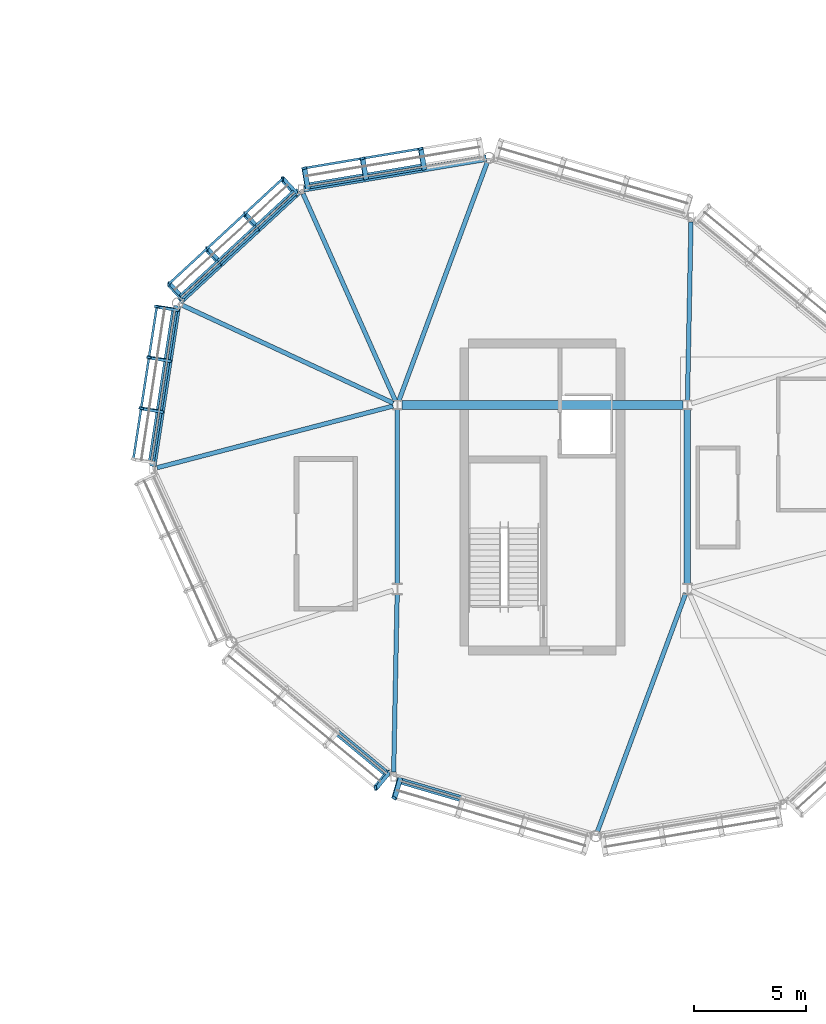
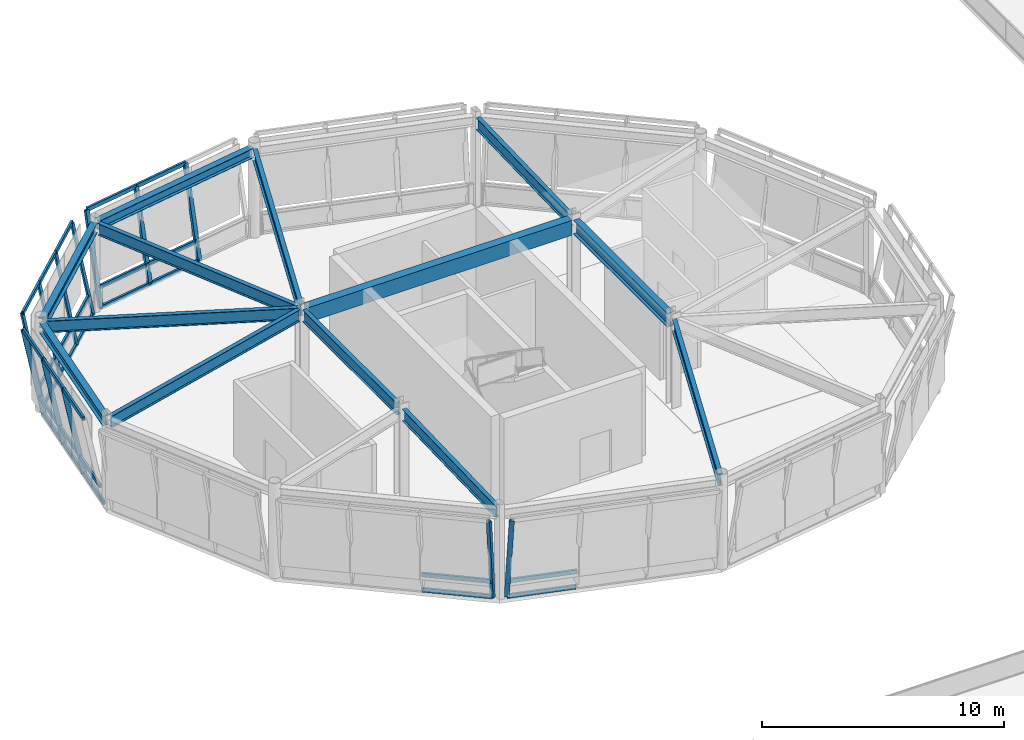
# One storey, part 45 of 94: 40 members, 13 beams, 5 elements without a shape of their own.
"""IFC4 building model written with IfcOpenShell, lengths in metres."""

from ifc_helpers import new_model, si_unit, direction, frame, origin, origin_2d, place, context, subcontext, project, spatial, rectangle, hollow_rectangle, i_section, extrude, material, material_profile, profile_set, type_object, element, aggregate, save


model = new_model("IFC4")

# Units and contexts
model_context = context("Model", 3, precision=1e-05, world=origin(), true_north=direction((0.0, 1.0)))
body_context = subcontext(model_context, "Body", "Model", "MODEL_VIEW")
ifc_project = project(units=[si_unit("LENGTHUNIT", "METRE"), si_unit("AREAUNIT", "SQUARE_METRE"), si_unit("VOLUMEUNIT", "CUBIC_METRE"), si_unit("PLANEANGLEUNIT", "RADIAN"), si_unit("MASSUNIT", "GRAM", prefix="KILO")], contexts=[model_context])

# Site, building, storey
site_placement = place(None, origin())
site = spatial("IfcSite", under=ifc_project, at=site_placement, CompositionType="ELEMENT")
building_placement = place(site_placement, origin())
building = spatial("IfcBuilding", under=site, at=building_placement, Name="Linyun Crest Stadium", CompositionType="ELEMENT")
storey_placement = place(building_placement, frame((0.0, 0.0, 16.199951171875)))
storey = spatial("IfcBuildingStorey", under=building, at=storey_placement, Name="L04", CompositionType="ELEMENT", Elevation=16.199951171875)

# Beams
ifc_material_1 = material(Name="Concrete C40", Category="concrete")
ifc_material_profile_1 = material_profile(ifc_material_1, rectangle(XDim=0.39990234375, YDim=0.75, at=origin_2d()), Name="RCB 750x400")
ifc_profile_set_1 = profile_set([ifc_material_profile_1], Name="Concrete C40")
beam_type_1 = type_object("IfcBeamType", Name="B03", PredefinedType="BEAM", material=ifc_profile_set_1)
beam_1_placement = place(storey_placement, frame((-79.7958984375, 88.75, 4.14501953125), z_axis=(1.0, 0.0, 0.0), x_axis=(0.0, 1.0, 0.0)))
element("IfcBeam", 1, at=beam_1_placement, inside=storey, type_object=beam_type_1, Name="Frame beam B03 L04 971", PredefinedType="BEAM", context=body_context, shape_type="SweptSolid", body=[
    extrude(rectangle(XDim=0.39990234375, YDim=0.75, at=origin_2d()), origin(), (0.0, 0.0, 1.0), 12.591796875),
])
ifc_material_2 = material(Name="Steel Q355C", Category="steel")
ifc_material_profile_2 = material_profile(ifc_material_2, i_section(OverallWidth=0.300048828125, OverallDepth=0.488037109375, WebThickness=0.010986328125, FlangeThickness=0.01806640625, at=origin_2d()), Name="HM 488x300")
ifc_profile_set_2 = profile_set([ifc_material_profile_2], Name="Steel Q355C")
beam_type_2 = type_object("IfcBeamType", Name="B08", PredefinedType="BEAM", material=ifc_profile_set_2)
beam_2_placement = place(storey_placement, frame((-76.011962890625, 99.805908203125, 4.276123046875), z_axis=(-0.986275969976, -0.165105151487, 0.0), x_axis=(0.165105151487, -0.986275969976, 0.0)))
element("IfcBeam", 2, at=beam_2_placement, inside=storey, type_object=beam_type_2, Name="Pod ring girder B08 L04 33", PredefinedType="BEAM", context=body_context, shape_type="SweptSolid", body=[
    extrude(i_section(OverallWidth=0.300048828125, OverallDepth=0.488037109375, WebThickness=0.010986328125, FlangeThickness=0.01806640625, at=origin_2d()), origin(), (0.0, 0.0, 1.0), 8.296875),
])
beam_3_placement = place(storey_placement, frame((-84.40087890625, 98.3349609375, 4.276123046875), z_axis=(-0.734193861678, -0.678939889441, 0.0), x_axis=(0.678939889441, -0.734193861678, 0.0)))
element("IfcBeam", 3, at=beam_3_placement, inside=storey, type_object=beam_type_2, Name="Pod ring girder B08 L04 35", PredefinedType="BEAM", context=body_context, shape_type="SweptSolid", body=[
    extrude(i_section(OverallWidth=0.300048828125, OverallDepth=0.488037109375, WebThickness=0.010986328125, FlangeThickness=0.01806640625, at=origin_2d()), origin(), (0.0, 0.0, 1.0), 7.28173828125),
])
beam_4_placement = place(storey_placement, frame((-89.85302734375, 93.19091796875, 4.276123046875), z_axis=(-0.152213453027, -0.988347643655, 0.0), x_axis=(0.988347643655, -0.152213453027, 0.0)))
element("IfcBeam", 4, at=beam_4_placement, inside=storey, type_object=beam_type_2, Name="Pod ring girder B08 L04 37", PredefinedType="BEAM", context=body_context, shape_type="SweptSolid", body=[
    extrude(i_section(OverallWidth=0.300048828125, OverallDepth=0.488037109375, WebThickness=0.010986328125, FlangeThickness=0.01806640625, at=origin_2d()), origin(), (0.0, 0.0, 1.0), 7.278564453125),
])
ifc_material_3 = material(Name="Steel Q355C", Category="steel")
ifc_material_profile_3 = material_profile(ifc_material_3, i_section(OverallWidth=0.199951171875, OverallDepth=0.60009765625, WebThickness=0.010986328125, FlangeThickness=0.01708984375, at=origin_2d()), Name="HN 600x200")
ifc_profile_set_3 = profile_set([ifc_material_profile_3], Name="Steel Q355C")
beam_type_3 = type_object("IfcBeamType", Name="B11", PredefinedType="BEAM", material=ifc_profile_set_3)
beam_5_placement = place(storey_placement, frame((-66.99609375, 88.949951171875, 4.219970703125), z_axis=(0.01978842746, 0.999804189899, 0.0), x_axis=(-0.999804189899, 0.01978842746, 0.0)))
element("IfcBeam", 5, at=beam_5_placement, inside=storey, type_object=beam_type_3, Name="Pod radial tie girder B11 L04 32", PredefinedType="BEAM", context=body_context, shape_type="SweptSolid", body=[
    extrude(i_section(OverallWidth=0.199951171875, OverallDepth=0.60009765625, WebThickness=0.010986328125, FlangeThickness=0.01708984375, at=origin_2d()), origin(), (0.0, 0.0, 1.0), 7.99462890625),
])
beam_6_placement = place(storey_placement, frame((-79.929931640625, 88.93798828125, 4.219970703125), z_axis=(0.347593524127, 0.937645317796, 0.0), x_axis=(-0.937645317796, 0.347593524127, 0.0)))
element("IfcBeam", 6, at=beam_6_placement, inside=storey, type_object=beam_type_3, Name="Pod radial tie girder B11 L04 34", PredefinedType="BEAM", context=body_context, shape_type="SweptSolid", body=[
    extrude(i_section(OverallWidth=0.199951171875, OverallDepth=0.60009765625, WebThickness=0.010986328125, FlangeThickness=0.01708984375, at=origin_2d()), origin(), (0.0, 0.0, 1.0), 11.392578125),
])
beam_7_placement = place(storey_placement, frame((-80.0810546875, 88.93310546875, 4.219970703125), z_axis=(-0.407495258441, 0.913207322763, 0.0), x_axis=(-0.913207322763, -0.407495258441, 0.0)))
element("IfcBeam", 7, at=beam_7_placement, inside=storey, type_object=beam_type_3, Name="Pod radial tie girder B11 L04 36", PredefinedType="BEAM", context=body_context, shape_type="SweptSolid", body=[
    extrude(i_section(OverallWidth=0.199951171875, OverallDepth=0.60009765625, WebThickness=0.010986328125, FlangeThickness=0.01708984375, at=origin_2d()), origin(), (0.0, 0.0, 1.0), 10.1640625),
])
beam_8_placement = place(storey_placement, frame((-80.180908203125, 88.833984375, 4.219970703125), z_axis=(-0.907241490816, 0.420610125106, 0.0), x_axis=(-0.420610125106, -0.907241490816, 0.0)))
element("IfcBeam", 8, at=beam_8_placement, inside=storey, type_object=beam_type_3, Name="Pod radial tie girder B11 L04 38", PredefinedType="BEAM", context=body_context, shape_type="SweptSolid", body=[
    extrude(i_section(OverallWidth=0.199951171875, OverallDepth=0.60009765625, WebThickness=0.010986328125, FlangeThickness=0.01708984375, at=origin_2d()), origin(), (0.0, 0.0, 1.0), 10.420654296875),
])
beam_9_placement = place(storey_placement, frame((-80.193115234375, 88.698974609375, 4.219970703125), z_axis=(-0.967466930693, -0.252997505948, 0.0), x_axis=(0.252997505948, -0.967466930693, 0.0)))
element("IfcBeam", 9, at=beam_9_placement, inside=storey, type_object=beam_type_3, Name="Pod radial tie girder B11 L04 40", PredefinedType="BEAM", context=body_context, shape_type="SweptSolid", body=[
    extrude(i_section(OverallWidth=0.199951171875, OverallDepth=0.60009765625, WebThickness=0.010986328125, FlangeThickness=0.01708984375, at=origin_2d()), origin(), (0.0, 0.0, 1.0), 10.928466796875),
])
beam_10_placement = place(storey_placement, frame((-80.00390625, 80.300048828125, 4.219970703125), z_axis=(-0.01978842746, -0.999804189899, 0.0), x_axis=(0.999804189899, -0.01978842746, 0.0)))
element("IfcBeam", 10, at=beam_10_placement, inside=storey, type_object=beam_type_3, Name="Pod radial tie girder B11 L04 44", PredefinedType="BEAM", context=body_context, shape_type="SweptSolid", body=[
    extrude(i_section(OverallWidth=0.199951171875, OverallDepth=0.60009765625, WebThickness=0.010986328125, FlangeThickness=0.01708984375, at=origin_2d()), origin(), (0.0, 0.0, 1.0), 7.99462890625),
])
beam_11_placement = place(storey_placement, frame((-67.070068359375, 80.31201171875, 4.219970703125), z_axis=(-0.347593524127, -0.937645317796, 0.0), x_axis=(0.937645317796, -0.347593524127, 0.0)))
element("IfcBeam", 11, at=beam_11_placement, inside=storey, type_object=beam_type_3, Name="Pod radial tie girder B11 L04 46", PredefinedType="BEAM", context=body_context, shape_type="SweptSolid", body=[
    extrude(i_section(OverallWidth=0.199951171875, OverallDepth=0.60009765625, WebThickness=0.010986328125, FlangeThickness=0.01708984375, at=origin_2d()), origin(), (0.0, 0.0, 1.0), 11.392578125),
])
beam_12_placement = place(storey_placement, frame((-80.0, 80.7490234375, 4.219970703125), z_axis=(0.0, 1.0, 0.0), x_axis=(-1.0, 0.0, 0.0)))
element("IfcBeam", 12, at=beam_12_placement, inside=storey, type_object=beam_type_3, Name="Frame beam B11 L04 973", PredefinedType="BEAM", context=body_context, shape_type="SweptSolid", body=[
    extrude(i_section(OverallWidth=0.199951171875, OverallDepth=0.60009765625, WebThickness=0.010986328125, FlangeThickness=0.01708984375, at=origin_2d()), origin(), (0.0, 0.0, 1.0), 7.786865234375),
])
ifc_material_4 = material(Name="Steel Q355C", Category="steel")
ifc_material_profile_4 = material_profile(ifc_material_4, i_section(OverallWidth=0.300048828125, OverallDepth=0.699951171875, WebThickness=0.012939453125, FlangeThickness=0.02392578125, at=origin_2d()), Name="HN 700x300")
ifc_profile_set_4 = profile_set([ifc_material_profile_4], Name="Steel Q355C")
beam_type_4 = type_object("IfcBeamType", Name="B12", PredefinedType="BEAM", material=ifc_profile_set_4)
beam_13_placement = place(storey_placement, frame((-67.0, 80.7490234375, 4.170166015625), z_axis=(0.0, 1.0, 0.0), x_axis=(-1.0, 0.0, 0.0)))
element("IfcBeam", 13, at=beam_13_placement, inside=storey, type_object=beam_type_4, Name="Frame beam B12 L04 974", PredefinedType="BEAM", context=body_context, shape_type="SweptSolid", body=[
    extrude(i_section(OverallWidth=0.300048828125, OverallDepth=0.699951171875, WebThickness=0.012939453125, FlangeThickness=0.02392578125, at=origin_2d()), origin(), (0.0, 0.0, 1.0), 7.786865234375),
])

# Curtain wall, members
ifc_material_5 = material(Name="Verdigris steel and low-E curtain wall assembly", Category="steel")
curtain_wall_type = type_object("IfcCurtainWallType", Name="MCW04", PredefinedType="NOTDEFINED", material=ifc_material_5)
curtain_wall_1_placement = place(storey_placement, origin())
curtain_wall_1 = element("IfcCurtainWall", 14, at=curtain_wall_1_placement, inside=storey, type_object=curtain_wall_type, Name="CWR-005", PredefinedType="NOTDEFINED")
ifc_material_6 = material(Name="Verdigris painted steel Q355C pod mullion", Category="steel")
ifc_material_profile_5 = material_profile(ifc_material_6, hollow_rectangle(XDim=0.1201171875, YDim=0.219970703125, WallThickness=0.008056640625, at=origin_2d()), Name="RHS 220x120x8")
ifc_profile_set_5 = profile_set([ifc_material_profile_5], Name="Verdigris painted steel Q355C pod mullion")
member_type_1 = type_object("IfcMemberType", Name="ML04", PredefinedType="MULLION", material=ifc_profile_set_5)
member_1_placement = place(storey_placement, frame((-78.799072265625, 99.339111328125, 0.0), z_axis=(-0.032936148922, 0.196597696743, 0.979930893344), x_axis=(-0.32247063597, 0.925937182787, -0.196603719367)))
member_1 = element("IfcMember", 15, at=member_1_placement, type_object=member_type_1, Name="CWR-005 mullion 2", PredefinedType="MULLION", context=body_context, shape_type="SweptSolid", body=[
    extrude(hollow_rectangle(XDim=0.1201171875, YDim=0.219970703125, WallThickness=0.008056640625, at=origin_2d()), origin(), (0.0, 0.0, 1.0), 4.55126953125),
])
member_2_placement = place(storey_placement, frame((-81.407958984375, 98.903076171875, 0.0), z_axis=(-0.03298938458, 0.196648916861, 0.979918825211), x_axis=(-0.322673171426, 0.925854197234, -0.196662222875)))
member_2 = element("IfcMember", 16, at=member_2_placement, type_object=member_type_1, Name="CWR-005 mullion 3", PredefinedType="MULLION", context=body_context, shape_type="SweptSolid", body=[
    extrude(hollow_rectangle(XDim=0.1201171875, YDim=0.219970703125, WallThickness=0.008056640625, at=origin_2d()), origin(), (0.0, 0.0, 1.0), 4.55126953125),
])
member_3_placement = place(storey_placement, frame((-84.01708984375, 98.466064453125, 0.0), z_axis=(-0.03293580154, 0.196649264568, 0.979920557863), x_axis=(-0.322427792745, 0.925941462392, -0.196653824495)))
member_3 = element("IfcMember", 17, at=member_3_placement, type_object=member_type_1, Name="CWR-005 mullion 4", PredefinedType="MULLION", context=body_context, shape_type="SweptSolid", body=[
    extrude(hollow_rectangle(XDim=0.1201171875, YDim=0.219970703125, WallThickness=0.008056640625, at=origin_2d()), origin(), (0.0, 0.0, 1.0), 4.55126953125),
])

curtain_wall_2_placement = place(storey_placement, origin())
curtain_wall_2 = element("IfcCurtainWall", 18, at=curtain_wall_2_placement, inside=storey, type_object=curtain_wall_type, Name="CWR-006", PredefinedType="NOTDEFINED")
member_4_placement = place(storey_placement, frame((-84.532958984375, 98.2119140625, 0.0), z_axis=(-0.135338938, 0.146335561976, 0.979933301384), x_axis=(-0.986931761781, 0.067392260663, -0.146369330089)))
member_4 = element("IfcMember", 19, at=member_4_placement, type_object=member_type_1, Name="CWR-006 mullion 1", PredefinedType="MULLION", context=body_context, shape_type="SweptSolid", body=[
    extrude(hollow_rectangle(XDim=0.1201171875, YDim=0.219970703125, WallThickness=0.008056640625, at=origin_2d()), origin(), (0.0, 0.0, 1.0), 4.55126953125),
])
member_5_placement = place(storey_placement, frame((-86.22705078125, 96.64599609375, 0.0), z_axis=(-0.135338938, 0.146335561976, 0.979933301384), x_axis=(-0.986931761781, 0.067392260663, -0.146369330089)))
member_5 = element("IfcMember", 20, at=member_5_placement, type_object=member_type_1, Name="CWR-006 mullion 2", PredefinedType="MULLION", context=body_context, shape_type="SweptSolid", body=[
    extrude(hollow_rectangle(XDim=0.1201171875, YDim=0.219970703125, WallThickness=0.008056640625, at=origin_2d()), origin(), (0.0, 0.0, 1.0), 4.55126953125),
])
member_6_placement = place(storey_placement, frame((-87.9208984375, 95.080078125, 0.0), z_axis=(-0.135391596953, 0.146334499401, 0.979926185873), x_axis=(-0.98694150652, 0.06719346801, -0.146395015502)))
member_6 = element("IfcMember", 21, at=member_6_placement, type_object=member_type_1, Name="CWR-006 mullion 3", PredefinedType="MULLION", context=body_context, shape_type="SweptSolid", body=[
    extrude(hollow_rectangle(XDim=0.1201171875, YDim=0.219970703125, WallThickness=0.008056640625, at=origin_2d()), origin(), (0.0, 0.0, 1.0), 4.55126953125),
])
member_7_placement = place(storey_placement, frame((-89.614990234375, 93.513916015625, 0.0), z_axis=(-0.135338938, 0.146335561976, 0.979933301384), x_axis=(-0.986931761781, 0.067392260663, -0.146369330089)))
member_7 = element("IfcMember", 22, at=member_7_placement, type_object=member_type_1, Name="CWR-006 mullion 4", PredefinedType="MULLION", context=body_context, shape_type="SweptSolid", body=[
    extrude(hollow_rectangle(XDim=0.1201171875, YDim=0.219970703125, WallThickness=0.008056640625, at=origin_2d()), origin(), (0.0, 0.0, 1.0), 4.55126953125),
])

curtain_wall_3_placement = place(storey_placement, origin())
curtain_wall_3 = element("IfcCurtainWall", 23, at=curtain_wall_3_placement, inside=storey, type_object=curtain_wall_type, Name="CWR-007", PredefinedType="NOTDEFINED")
member_8_placement = place(storey_placement, frame((-89.881103515625, 93.012939453125, 0.0), z_axis=(-0.197078126457, 0.030307333002, 0.979919219956), x_axis=(-0.297564133026, -0.954219848117, -0.030332625933)))
member_8 = element("IfcMember", 24, at=member_8_placement, type_object=member_type_1, Name="CWR-007 mullion 1", PredefinedType="MULLION", context=body_context, shape_type="SweptSolid", body=[
    extrude(hollow_rectangle(XDim=0.1201171875, YDim=0.219970703125, WallThickness=0.008056640625, at=origin_2d()), origin(), (0.0, 0.0, 1.0), 4.55126953125),
])
member_9_placement = place(storey_placement, frame((-90.23193359375, 90.73388671875, 0.0), z_axis=(-0.19707780578, 0.030360924897, 0.979917625471), x_axis=(-0.297817594375, -0.954140733838, -0.030333817954)))
member_9 = element("IfcMember", 25, at=member_9_placement, type_object=member_type_1, Name="CWR-007 mullion 2", PredefinedType="MULLION", context=body_context, shape_type="SweptSolid", body=[
    extrude(hollow_rectangle(XDim=0.1201171875, YDim=0.219970703125, WallThickness=0.008056640625, at=origin_2d()), origin(), (0.0, 0.0, 1.0), 4.55126953125),
])
member_10_placement = place(storey_placement, frame((-90.58203125, 88.4541015625, 0.0), z_axis=(-0.197078126457, 0.030307333002, 0.979919219956), x_axis=(-0.297564133026, -0.954219848117, -0.030332625933)))
member_10 = element("IfcMember", 26, at=member_10_placement, type_object=member_type_1, Name="CWR-007 mullion 3", PredefinedType="MULLION", context=body_context, shape_type="SweptSolid", body=[
    extrude(hollow_rectangle(XDim=0.1201171875, YDim=0.219970703125, WallThickness=0.008056640625, at=origin_2d()), origin(), (0.0, 0.0, 1.0), 4.55126953125),
])

# Curtain wall, member
curtain_wall_4_placement = place(storey_placement, origin())
curtain_wall_4 = element("IfcCurtainWall", 27, at=curtain_wall_4_placement, inside=storey, type_object=curtain_wall_type, Name="CWR-009", PredefinedType="NOTDEFINED")
member_11_placement = place(storey_placement, frame((-80.39697265625, 72.278076171875, 0.0), z_axis=(-0.127236122693, -0.153573785527, 0.979911251839), x_axis=(0.972616489706, 0.174405811147, 0.153622189123)))
member_11 = element("IfcMember", 28, at=member_11_placement, type_object=member_type_1, Name="CWR-009 mullion 4", PredefinedType="MULLION", context=body_context, shape_type="SweptSolid", body=[
    extrude(hollow_rectangle(XDim=0.1201171875, YDim=0.219970703125, WallThickness=0.008056640625, at=origin_2d()), origin(), (0.0, 0.0, 1.0), 4.551513671875),
])

curtain_wall_5_placement = place(storey_placement, origin())
curtain_wall_5 = element("IfcCurtainWall", 29, at=curtain_wall_5_placement, inside=storey, type_object=curtain_wall_type, Name="CWR-010", PredefinedType="NOTDEFINED")
member_12_placement = place(storey_placement, frame((-79.8779296875, 72.001953125, 0.0), z_axis=(-0.056269203704, -0.191336748916, 0.97991021284), x_axis=(0.535797721848, 0.822379546579, 0.191344408412)))
member_12 = element("IfcMember", 30, at=member_12_placement, type_object=member_type_1, Name="CWR-010 mullion 1", PredefinedType="MULLION", context=body_context, shape_type="SweptSolid", body=[
    extrude(hollow_rectangle(XDim=0.1201171875, YDim=0.219970703125, WallThickness=0.008056640625, at=origin_2d()), origin(), (0.0, 0.0, 1.0), 4.551513671875),
])

# Member
ifc_material_7 = material(Name="Verdigris painted steel Q355C transom", Category="steel")
ifc_material_profile_6 = material_profile(ifc_material_7, hollow_rectangle(XDim=0.10009765625, YDim=0.199951171875, WallThickness=0.008056640625, at=origin_2d()), Name="RHS 200x100x8")
ifc_profile_set_6 = profile_set([ifc_material_profile_6], Name="Verdigris painted steel Q355C transom")
member_type_2 = type_object("IfcMemberType", Name="TR03", PredefinedType="USERDEFINED", material=ifc_profile_set_6)
member_13_placement = place(storey_placement, frame((-78.799072265625, 99.339111328125, 0.0), z_axis=(-0.986318983701, -0.164847997837, 0.0), x_axis=(0.164847997837, -0.986318983701, 0.0)))
member_13 = element("IfcMember", 31, at=member_13_placement, type_object=member_type_2, Name="CWR-005 transom 2.1", ObjectType="TRANSOM", PredefinedType="USERDEFINED", context=body_context, shape_type="SweptSolid", body=[
    extrude(hollow_rectangle(XDim=0.10009765625, YDim=0.199951171875, WallThickness=0.008056640625, at=origin_2d()), origin(), (0.0, 0.0, 1.0), 2.64501953125),
])

member_14_placement = place(storey_placement, frame((-78.8291015625, 99.52001953125, 0.900146484375), z_axis=(-0.98625889267, -0.165207132499, 0.0), x_axis=(0.165207132499, -0.98625889267, 0.0)))
member_14 = element("IfcMember", 32, at=member_14_placement, type_object=member_type_2, Name="CWR-005 transom 2.2", ObjectType="TRANSOM", PredefinedType="USERDEFINED", context=body_context, shape_type="SweptSolid", body=[
    extrude(hollow_rectangle(XDim=0.10009765625, YDim=0.199951171875, WallThickness=0.008056640625, at=origin_2d()), origin(), (0.0, 0.0, 1.0), 2.645263671875),
])

member_15_placement = place(storey_placement, frame((-78.948974609375, 100.23388671875, 4.4599609375), z_axis=(-0.986336492374, -0.16474320566, 0.0), x_axis=(0.16474320566, -0.986336492374, 0.0)))
member_15 = element("IfcMember", 33, at=member_15_placement, type_object=member_type_2, Name="CWR-005 transom 2.3", ObjectType="TRANSOM", PredefinedType="USERDEFINED", context=body_context, shape_type="SweptSolid", body=[
    extrude(hollow_rectangle(XDim=0.10009765625, YDim=0.199951171875, WallThickness=0.008056640625, at=origin_2d()), origin(), (0.0, 0.0, 1.0), 2.645263671875),
])

member_16_placement = place(storey_placement, frame((-81.407958984375, 98.903076171875, 0.0), z_axis=(-0.986261411357, -0.165192095661, 0.0), x_axis=(0.165192095661, -0.986261411357, 0.0)))
member_16 = element("IfcMember", 34, at=member_16_placement, type_object=member_type_2, Name="CWR-005 transom 3.1", ObjectType="TRANSOM", PredefinedType="USERDEFINED", context=body_context, shape_type="SweptSolid", body=[
    extrude(hollow_rectangle(XDim=0.10009765625, YDim=0.199951171875, WallThickness=0.008056640625, at=origin_2d()), origin(), (0.0, 0.0, 1.0), 2.6455078125),
])

member_17_placement = place(storey_placement, frame((-81.43798828125, 99.0830078125, 0.900146484375), z_axis=(-0.986321491601, -0.164832991859, 0.0), x_axis=(0.164832991859, -0.986321491601, 0.0)))
member_17 = element("IfcMember", 35, at=member_17_placement, type_object=member_type_2, Name="CWR-005 transom 3.2", ObjectType="TRANSOM", PredefinedType="USERDEFINED", context=body_context, shape_type="SweptSolid", body=[
    extrude(hollow_rectangle(XDim=0.10009765625, YDim=0.199951171875, WallThickness=0.008056640625, at=origin_2d()), origin(), (0.0, 0.0, 1.0), 2.645263671875),
])

member_18_placement = place(storey_placement, frame((-81.55810546875, 99.798095703125, 4.4599609375), z_axis=(-0.98625889267, -0.165207132499, 0.0), x_axis=(0.165207132499, -0.98625889267, 0.0)))
member_18 = element("IfcMember", 36, at=member_18_placement, type_object=member_type_2, Name="CWR-005 transom 3.3", ObjectType="TRANSOM", PredefinedType="USERDEFINED", context=body_context, shape_type="SweptSolid", body=[
    extrude(hollow_rectangle(XDim=0.10009765625, YDim=0.199951171875, WallThickness=0.008056640625, at=origin_2d()), origin(), (0.0, 0.0, 1.0), 2.645263671875),
])

aggregate(curtain_wall_1, [member_1, member_2, member_3, member_13, member_14, member_15, member_16, member_17, member_18])

member_19_placement = place(storey_placement, frame((-84.532958984375, 98.2119140625, 0.0), z_axis=(-0.734340741023, -0.678781022182, 0.0), x_axis=(0.678781022182, -0.734340741023, 0.0)))
member_19 = element("IfcMember", 37, at=member_19_placement, type_object=member_type_2, Name="CWR-006 transom 1.1", ObjectType="TRANSOM", PredefinedType="USERDEFINED", context=body_context, shape_type="SweptSolid", body=[
    extrude(hollow_rectangle(XDim=0.10009765625, YDim=0.199951171875, WallThickness=0.008056640625, at=origin_2d()), origin(), (0.0, 0.0, 1.0), 2.306884765625),
])

member_20_placement = place(storey_placement, frame((-84.656982421875, 98.345947265625, 0.900146484375), z_axis=(-0.734340741023, -0.678781022182, 0.0), x_axis=(0.678781022182, -0.734340741023, 0.0)))
member_20 = element("IfcMember", 38, at=member_20_placement, type_object=member_type_2, Name="CWR-006 transom 1.2", ObjectType="TRANSOM", PredefinedType="USERDEFINED", context=body_context, shape_type="SweptSolid", body=[
    extrude(hollow_rectangle(XDim=0.10009765625, YDim=0.199951171875, WallThickness=0.008056640625, at=origin_2d()), origin(), (0.0, 0.0, 1.0), 2.306884765625),
])

member_21_placement = place(storey_placement, frame((-85.14892578125, 98.8779296875, 4.4599609375), z_axis=(-0.734340741023, -0.678781022182, 0.0), x_axis=(0.678781022182, -0.734340741023, 0.0)))
member_21 = element("IfcMember", 39, at=member_21_placement, type_object=member_type_2, Name="CWR-006 transom 1.3", ObjectType="TRANSOM", PredefinedType="USERDEFINED", context=body_context, shape_type="SweptSolid", body=[
    extrude(hollow_rectangle(XDim=0.10009765625, YDim=0.199951171875, WallThickness=0.008056640625, at=origin_2d()), origin(), (0.0, 0.0, 1.0), 2.306884765625),
])

member_22_placement = place(storey_placement, frame((-86.22705078125, 96.64599609375, 0.0), z_axis=(-0.73429197574, -0.678833775208, 0.0), x_axis=(0.678833775208, -0.73429197574, 0.0)))
member_22 = element("IfcMember", 40, at=member_22_placement, type_object=member_type_2, Name="CWR-006 transom 2.1", ObjectType="TRANSOM", PredefinedType="USERDEFINED", context=body_context, shape_type="SweptSolid", body=[
    extrude(hollow_rectangle(XDim=0.10009765625, YDim=0.199951171875, WallThickness=0.008056640625, at=origin_2d()), origin(), (0.0, 0.0, 1.0), 2.306884765625),
])

member_23_placement = place(storey_placement, frame((-86.35107421875, 96.780029296875, 0.900146484375), z_axis=(-0.73429197574, -0.678833775208, 0.0), x_axis=(0.678833775208, -0.73429197574, 0.0)))
member_23 = element("IfcMember", 41, at=member_23_placement, type_object=member_type_2, Name="CWR-006 transom 2.2", ObjectType="TRANSOM", PredefinedType="USERDEFINED", context=body_context, shape_type="SweptSolid", body=[
    extrude(hollow_rectangle(XDim=0.10009765625, YDim=0.199951171875, WallThickness=0.008056640625, at=origin_2d()), origin(), (0.0, 0.0, 1.0), 2.306884765625),
])

member_24_placement = place(storey_placement, frame((-86.843017578125, 97.31201171875, 4.4599609375), z_axis=(-0.734340741023, -0.678781022182, 0.0), x_axis=(0.678781022182, -0.734340741023, 0.0)))
member_24 = element("IfcMember", 42, at=member_24_placement, type_object=member_type_2, Name="CWR-006 transom 2.3", ObjectType="TRANSOM", PredefinedType="USERDEFINED", context=body_context, shape_type="SweptSolid", body=[
    extrude(hollow_rectangle(XDim=0.10009765625, YDim=0.199951171875, WallThickness=0.008056640625, at=origin_2d()), origin(), (0.0, 0.0, 1.0), 2.306884765625),
])

member_25_placement = place(storey_placement, frame((-87.9208984375, 95.080078125, 0.0), z_axis=(-0.734287991916, -0.678838084471, 0.0), x_axis=(0.678838084471, -0.734287991916, 0.0)))
member_25 = element("IfcMember", 43, at=member_25_placement, type_object=member_type_2, Name="CWR-006 transom 3.1", ObjectType="TRANSOM", PredefinedType="USERDEFINED", context=body_context, shape_type="SweptSolid", body=[
    extrude(hollow_rectangle(XDim=0.10009765625, YDim=0.199951171875, WallThickness=0.008056640625, at=origin_2d()), origin(), (0.0, 0.0, 1.0), 2.30712890625),
])

member_26_placement = place(storey_placement, frame((-88.044921875, 95.214111328125, 0.900146484375), z_axis=(-0.734287991916, -0.678838084471, 0.0), x_axis=(0.678838084471, -0.734287991916, 0.0)))
member_26 = element("IfcMember", 44, at=member_26_placement, type_object=member_type_2, Name="CWR-006 transom 3.2", ObjectType="TRANSOM", PredefinedType="USERDEFINED", context=body_context, shape_type="SweptSolid", body=[
    extrude(hollow_rectangle(XDim=0.10009765625, YDim=0.199951171875, WallThickness=0.008056640625, at=origin_2d()), origin(), (0.0, 0.0, 1.0), 2.30712890625),
])

member_27_placement = place(storey_placement, frame((-88.537109375, 95.74609375, 4.4599609375), z_axis=(-0.734239221938, -0.678890834352, 0.0), x_axis=(0.678890834352, -0.734239221938, 0.0)))
member_27 = element("IfcMember", 45, at=member_27_placement, type_object=member_type_2, Name="CWR-006 transom 3.3", ObjectType="TRANSOM", PredefinedType="USERDEFINED", context=body_context, shape_type="SweptSolid", body=[
    extrude(hollow_rectangle(XDim=0.10009765625, YDim=0.199951171875, WallThickness=0.008056640625, at=origin_2d()), origin(), (0.0, 0.0, 1.0), 2.306884765625),
])

aggregate(curtain_wall_2, [member_4, member_5, member_6, member_7, member_19, member_20, member_21, member_22, member_23, member_24, member_25, member_26, member_27])

member_28_placement = place(storey_placement, frame((-89.881103515625, 93.012939453125, 0.0), z_axis=(-0.152144700169, -0.988358229697, 0.0), x_axis=(0.988358229697, -0.152144700169, 0.0)))
member_28 = element("IfcMember", 46, at=member_28_placement, type_object=member_type_2, Name="CWR-007 transom 1.1", ObjectType="TRANSOM", PredefinedType="USERDEFINED", context=body_context, shape_type="SweptSolid", body=[
    extrude(hollow_rectangle(XDim=0.10009765625, YDim=0.199951171875, WallThickness=0.008056640625, at=origin_2d()), origin(), (0.0, 0.0, 1.0), 2.305908203125),
])

member_29_placement = place(storey_placement, frame((-90.06201171875, 93.041015625, 0.900146484375), z_axis=(-0.152248123454, -0.988342303509, 0.0), x_axis=(0.988342303509, -0.152248123454, 0.0)))
member_29 = element("IfcMember", 47, at=member_29_placement, type_object=member_type_2, Name="CWR-007 transom 1.2", ObjectType="TRANSOM", PredefinedType="USERDEFINED", context=body_context, shape_type="SweptSolid", body=[
    extrude(hollow_rectangle(XDim=0.10009765625, YDim=0.199951171875, WallThickness=0.008056640625, at=origin_2d()), origin(), (0.0, 0.0, 1.0), 2.305908203125),
])

member_30_placement = place(storey_placement, frame((-90.778076171875, 93.15087890625, 4.4599609375), z_axis=(-0.152160622849, -0.98835577848, 0.0), x_axis=(0.98835577848, -0.152160622849, 0.0)))
member_30 = element("IfcMember", 48, at=member_30_placement, type_object=member_type_2, Name="CWR-007 transom 1.3", ObjectType="TRANSOM", PredefinedType="USERDEFINED", context=body_context, shape_type="SweptSolid", body=[
    extrude(hollow_rectangle(XDim=0.10009765625, YDim=0.199951171875, WallThickness=0.008056640625, at=origin_2d()), origin(), (0.0, 0.0, 1.0), 2.3056640625),
])

member_31_placement = place(storey_placement, frame((-90.23193359375, 90.73388671875, 0.0), z_axis=(-0.15178674483, -0.988413265843, 0.0), x_axis=(0.988413265843, -0.15178674483, 0.0)))
member_31 = element("IfcMember", 49, at=member_31_placement, type_object=member_type_2, Name="CWR-007 transom 2.1", ObjectType="TRANSOM", PredefinedType="USERDEFINED", context=body_context, shape_type="SweptSolid", body=[
    extrude(hollow_rectangle(XDim=0.10009765625, YDim=0.199951171875, WallThickness=0.008056640625, at=origin_2d()), origin(), (0.0, 0.0, 1.0), 2.306396484375),
])

member_32_placement = place(storey_placement, frame((-90.4130859375, 90.761962890625, 0.900146484375), z_axis=(-0.151667464216, -0.988431575931, 0.0), x_axis=(0.988431575931, -0.151667464216, 0.0)))
member_32 = element("IfcMember", 50, at=member_32_placement, type_object=member_type_2, Name="CWR-007 transom 2.2", ObjectType="TRANSOM", PredefinedType="USERDEFINED", context=body_context, shape_type="SweptSolid", body=[
    extrude(hollow_rectangle(XDim=0.10009765625, YDim=0.199951171875, WallThickness=0.008056640625, at=origin_2d()), origin(), (0.0, 0.0, 1.0), 2.306640625),
])

member_33_placement = place(storey_placement, frame((-91.12890625, 90.8720703125, 4.4599609375), z_axis=(-0.15177086623, -0.988415704127, 0.0), x_axis=(0.988415704127, -0.15177086623, 0.0)))
member_33 = element("IfcMember", 51, at=member_33_placement, type_object=member_type_2, Name="CWR-007 transom 2.3", ObjectType="TRANSOM", PredefinedType="USERDEFINED", context=body_context, shape_type="SweptSolid", body=[
    extrude(hollow_rectangle(XDim=0.10009765625, YDim=0.199951171875, WallThickness=0.008056640625, at=origin_2d()), origin(), (0.0, 0.0, 1.0), 2.306640625),
])

member_34_placement = place(storey_placement, frame((-90.58203125, 88.4541015625, 0.0), z_axis=(-0.152248123454, -0.988342303509, 0.0), x_axis=(0.988342303509, -0.152248123454, 0.0)))
member_34 = element("IfcMember", 52, at=member_34_placement, type_object=member_type_2, Name="CWR-007 transom 3.1", ObjectType="TRANSOM", PredefinedType="USERDEFINED", context=body_context, shape_type="SweptSolid", body=[
    extrude(hollow_rectangle(XDim=0.10009765625, YDim=0.199951171875, WallThickness=0.008056640625, at=origin_2d()), origin(), (0.0, 0.0, 1.0), 2.305908203125),
])

member_35_placement = place(storey_placement, frame((-90.762939453125, 88.48193359375, 0.900146484375), z_axis=(-0.152248123454, -0.988342303509, 0.0), x_axis=(0.988342303509, -0.152248123454, 0.0)))
member_35 = element("IfcMember", 53, at=member_35_placement, type_object=member_type_2, Name="CWR-007 transom 3.2", ObjectType="TRANSOM", PredefinedType="USERDEFINED", context=body_context, shape_type="SweptSolid", body=[
    extrude(hollow_rectangle(XDim=0.10009765625, YDim=0.199951171875, WallThickness=0.008056640625, at=origin_2d()), origin(), (0.0, 0.0, 1.0), 2.305908203125),
])

member_36_placement = place(storey_placement, frame((-91.47900390625, 88.592041015625, 4.4599609375), z_axis=(-0.152248123454, -0.988342303509, 0.0), x_axis=(0.988342303509, -0.152248123454, 0.0)))
member_36 = element("IfcMember", 54, at=member_36_placement, type_object=member_type_2, Name="CWR-007 transom 3.3", ObjectType="TRANSOM", PredefinedType="USERDEFINED", context=body_context, shape_type="SweptSolid", body=[
    extrude(hollow_rectangle(XDim=0.10009765625, YDim=0.199951171875, WallThickness=0.008056640625, at=origin_2d()), origin(), (0.0, 0.0, 1.0), 2.305908203125),
])

aggregate(curtain_wall_3, [member_8, member_9, member_10, member_28, member_29, member_30, member_31, member_32, member_33, member_34, member_35, member_36])

member_37_placement = place(storey_placement, frame((-82.66796875, 74.157958984375, 0.0), z_axis=(0.770321380351, -0.63765584054, 0.0), x_axis=(0.63765584054, 0.770321380351, 0.0)))
member_37 = element("IfcMember", 55, at=member_37_placement, type_object=member_type_2, Name="CWR-009 transom 3.1", ObjectType="TRANSOM", PredefinedType="USERDEFINED", context=body_context, shape_type="SweptSolid", body=[
    extrude(hollow_rectangle(XDim=0.10009765625, YDim=0.199951171875, WallThickness=0.008056640625, at=origin_2d()), origin(), (0.0, 0.0, 1.0), 2.947998046875),
])

member_38_placement = place(storey_placement, frame((-82.784912109375, 74.01708984375, 0.900146484375), z_axis=(0.770280703464, -0.637704977142, 0.0), x_axis=(0.637704977142, 0.770280703464, 0.0)))
member_38 = element("IfcMember", 56, at=member_38_placement, type_object=member_type_2, Name="CWR-009 transom 3.2", ObjectType="TRANSOM", PredefinedType="USERDEFINED", context=body_context, shape_type="SweptSolid", body=[
    extrude(hollow_rectangle(XDim=0.10009765625, YDim=0.199951171875, WallThickness=0.008056640625, at=origin_2d()), origin(), (0.0, 0.0, 1.0), 2.9482421875),
])

aggregate(curtain_wall_4, [member_11, member_37, member_38])

member_39_placement = place(storey_placement, frame((-79.8779296875, 72.001953125, 0.0), z_axis=(0.959427469513, -0.28195554746, 0.0), x_axis=(0.28195554746, 0.959427469513, 0.0)))
member_39 = element("IfcMember", 57, at=member_39_placement, type_object=member_type_2, Name="CWR-010 transom 1.1", ObjectType="TRANSOM", PredefinedType="USERDEFINED", context=body_context, shape_type="SweptSolid", body=[
    extrude(hollow_rectangle(XDim=0.10009765625, YDim=0.199951171875, WallThickness=0.008056640625, at=origin_2d()), origin(), (0.0, 0.0, 1.0), 2.947509765625),
])

member_40_placement = place(storey_placement, frame((-79.929931640625, 71.825927734375, 0.900146484375), z_axis=(0.959449874016, -0.281879299083, 0.0), x_axis=(0.281879299083, 0.959449874016, 0.0)))
member_40 = element("IfcMember", 58, at=member_40_placement, type_object=member_type_2, Name="CWR-010 transom 1.2", ObjectType="TRANSOM", PredefinedType="USERDEFINED", context=body_context, shape_type="SweptSolid", body=[
    extrude(hollow_rectangle(XDim=0.10009765625, YDim=0.199951171875, WallThickness=0.008056640625, at=origin_2d()), origin(), (0.0, 0.0, 1.0), 2.947509765625),
])

aggregate(curtain_wall_5, [member_12, member_39, member_40])

save(model, "model.ifc")
